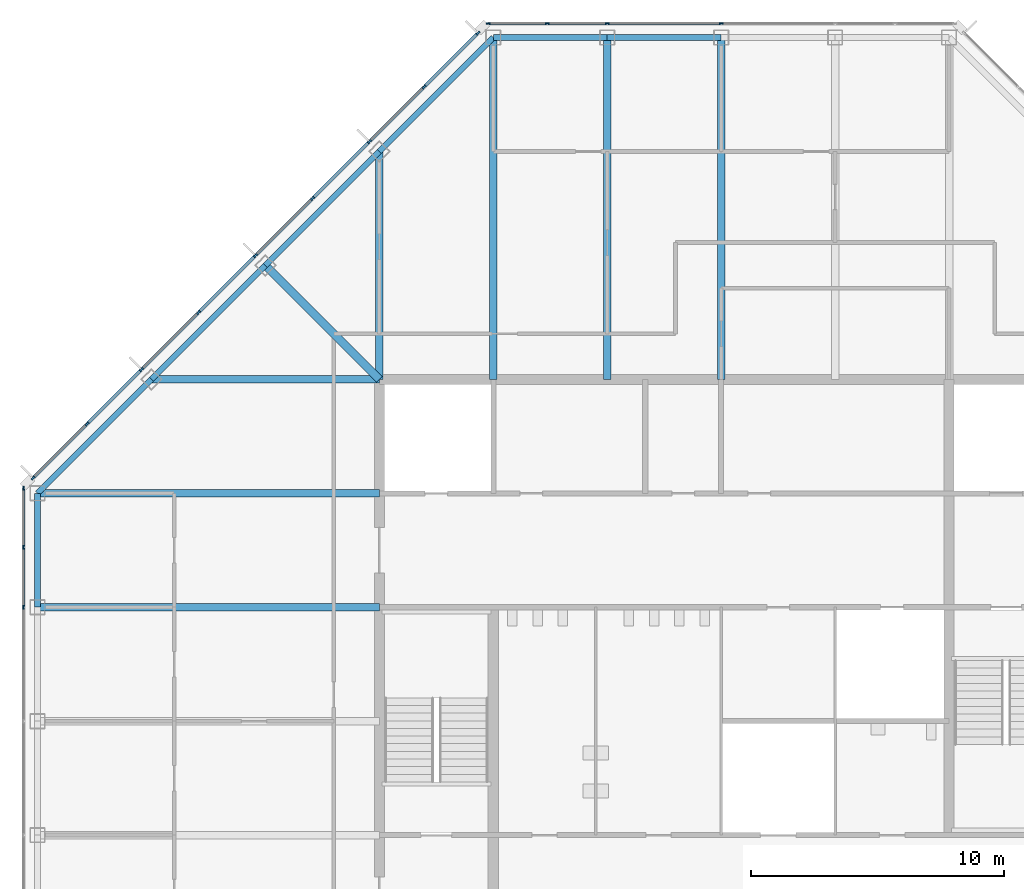
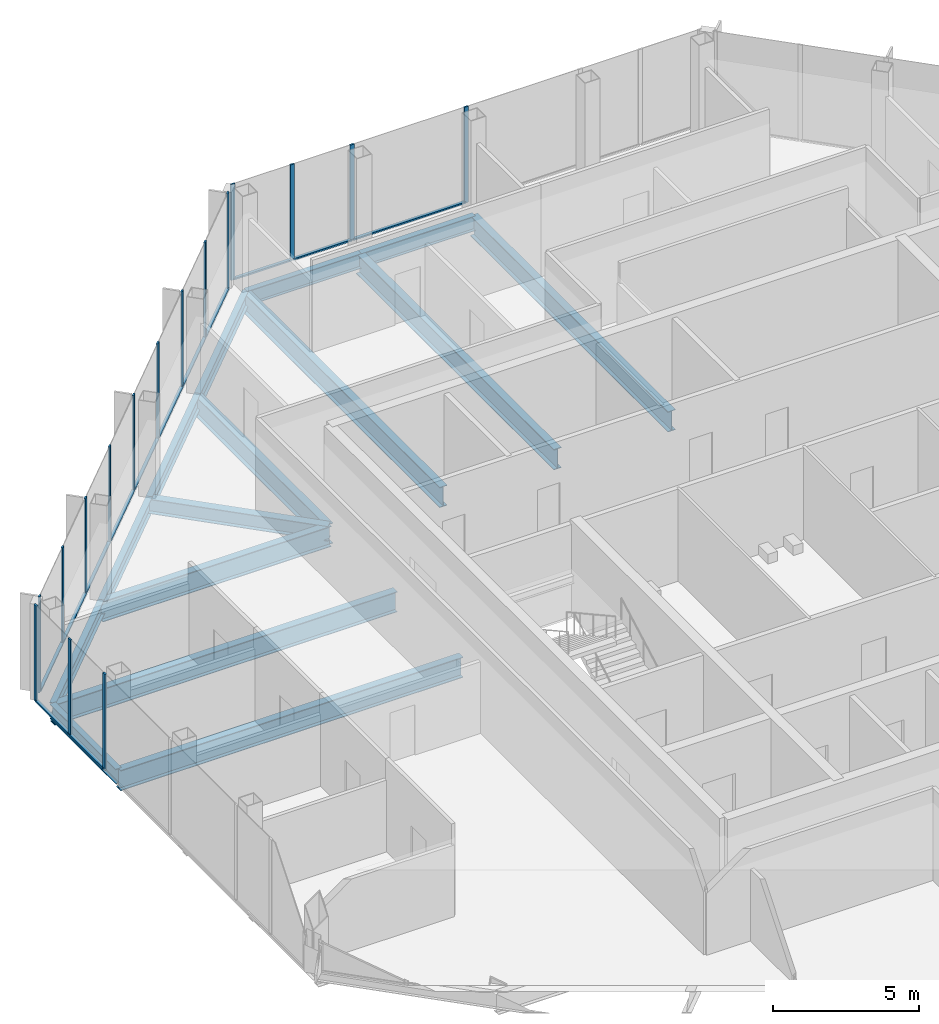
# One storey, part 6 of 14: 29 members, 15 beams, 3 elements without a shape of their own.
"""IFC4 building model written with IfcOpenShell, lengths in metres."""

from ifc_helpers import new_model, si_unit, direction, frame, origin, origin_2d, place, context, subcontext, project, spatial, rectangle, i_section, extrude, material, material_profile, profile_set, type_object, element, aggregate, save


model = new_model("IFC4")

# Units and contexts
model_context = context("Model", 3, precision=1e-05, world=origin(), true_north=direction((0.0, 1.0)))
body_context = subcontext(model_context, "Body", "Model", "MODEL_VIEW")
ifc_project = project(units=[si_unit("LENGTHUNIT", "METRE"), si_unit("AREAUNIT", "SQUARE_METRE"), si_unit("VOLUMEUNIT", "CUBIC_METRE"), si_unit("PLANEANGLEUNIT", "RADIAN"), si_unit("MASSUNIT", "GRAM", prefix="KILO")], contexts=[model_context])

# Site, building, storey
site_placement = place(None, origin())
site = spatial("IfcSite", under=ifc_project, at=site_placement, CompositionType="ELEMENT")
building_placement = place(site_placement, origin())
building = spatial("IfcBuilding", under=site, at=building_placement, Name="Corais Broadcast Tower", CompositionType="ELEMENT")
storey_placement = place(building_placement, frame((0.0, 0.0, 262.60009765625)))
storey = spatial("IfcBuildingStorey", under=building, at=storey_placement, Name="L61", CompositionType="ELEMENT", Elevation=262.60009765625)

# Beams
ifc_material_1 = material(Name="Steel ASTM A572 Grade 50", Category="steel")
ifc_material_profile_1 = material_profile(ifc_material_1, i_section(OverallWidth=0.323974609375, OverallDepth=0.611083984375, WebThickness=0.0126953125, FlangeThickness=0.01904296875, at=origin_2d()), Name="W610x155")
ifc_profile_set_1 = profile_set([ifc_material_profile_1], Name="Steel ASTM A572 Grade 50")
beam_type_1 = type_object("IfcBeamType", Name="Corner diagonal W610x155", PredefinedType="BEAM", material=ifc_profile_set_1)
beam_1_placement = place(storey_placement, frame((9.0, 45.0, -0.465576171875), z_axis=(0.707106781187, -0.707106781187, 0.0), x_axis=(0.707106781187, 0.707106781187, 0.0)))
element("IfcBeam", 1, at=beam_1_placement, inside=storey, type_object=beam_type_1, Name="B6 L/5 to K/6", PredefinedType="BEAM", context=body_context, shape_type="SweptSolid", body=[
    extrude(i_section(OverallWidth=0.323974609375, OverallDepth=0.611083984375, WebThickness=0.0126953125, FlangeThickness=0.01904296875, at=origin_2d()), origin(), (0.0, 0.0, 1.0), 6.364013671875),
])
ifc_material_2 = material(Name="Steel ASTM A572 Grade 50", Category="steel")
ifc_material_profile_2 = material_profile(ifc_material_2, i_section(OverallWidth=0.2939453125, OverallDepth=0.85107421875, WebThickness=0.01611328125, FlangeThickness=0.02685546875, at=origin_2d()), Name="W840x226")
ifc_profile_set_2 = profile_set([ifc_material_profile_2], Name="Steel ASTM A572 Grade 50")
beam_type_2 = type_object("IfcBeamType", Name="Floor beam W840x226", PredefinedType="BEAM", material=ifc_profile_set_2)
for number, where, z_axis, x_axis, name in (
    (2, (0.0, 31.5, -0.585693359375), (1.0, 0.0, 0.0), (0.0, 1.0, 0.0), "B1 H/3 to H/6"),
    (3, (0.0, 36.0, -0.585693359375), (1.0, 0.0, 0.0), (0.0, 1.0, 0.0), "B1 J/3 to J/6"),
):
    element("IfcBeam", number, at=place(storey_placement, frame(where, z_axis=z_axis, x_axis=x_axis)), inside=storey, type_object=beam_type_2, Name=name, PredefinedType="BEAM", context=body_context, shape_type="SweptSolid", body=[
        extrude(i_section(OverallWidth=0.2939453125, OverallDepth=0.85107421875, WebThickness=0.01611328125, FlangeThickness=0.02685546875, at=origin_2d()), origin(), (0.0, 0.0, 1.0), 13.5),
    ])
beam_2_placement = place(storey_placement, frame((13.5, 49.5, -0.585693359375), z_axis=(0.0, -1.0, 0.0), x_axis=(1.0, 0.0, 0.0)))
element("IfcBeam", 4, at=beam_2_placement, inside=storey, type_object=beam_type_2, Name="B1 M/6 to K/6", PredefinedType="BEAM", context=body_context, shape_type="SweptSolid", body=[
    extrude(i_section(OverallWidth=0.2939453125, OverallDepth=0.85107421875, WebThickness=0.01611328125, FlangeThickness=0.02685546875, at=origin_2d()), origin(), (0.0, 0.0, 1.0), 9.0),
])
for number, where, z_axis, x_axis, name in (
    (5, (18.0, 54.0, -0.585693359375), (0.0, -1.0, 0.0), (1.0, 0.0, 0.0), "B1 N/7 to K/7"),
    (6, (22.5, 54.0, -0.585693359375), (0.0, -1.0, 0.0), (1.0, 0.0, 0.0), "B1 N/8 to K/8"),
    (7, (27.0, 54.0, -0.585693359375), (0.0, -1.0, 0.0), (1.0, 0.0, 0.0), "B1 N/9 to K/9"),
):
    element("IfcBeam", number, at=place(storey_placement, frame(where, z_axis=z_axis, x_axis=x_axis)), inside=storey, type_object=beam_type_2, Name=name, PredefinedType="BEAM", context=body_context, shape_type="SweptSolid", body=[
        extrude(i_section(OverallWidth=0.2939453125, OverallDepth=0.85107421875, WebThickness=0.01611328125, FlangeThickness=0.02685546875, at=origin_2d()), origin(), (0.0, 0.0, 1.0), 13.5),
    ])
beam_3_placement = place(storey_placement, frame((4.5, 40.5, -0.585693359375), z_axis=(1.0, 0.0, 0.0), x_axis=(0.0, 1.0, 0.0)))
element("IfcBeam", 8, at=beam_3_placement, inside=storey, type_object=beam_type_2, Name="B1 K/4 to K/6", PredefinedType="BEAM", context=body_context, shape_type="SweptSolid", body=[
    extrude(i_section(OverallWidth=0.2939453125, OverallDepth=0.85107421875, WebThickness=0.01611328125, FlangeThickness=0.02685546875, at=origin_2d()), origin(), (0.0, 0.0, 1.0), 9.0),
])

# Curtain wall, members
ifc_material_3 = material(Name="Aluminium and glass", Category="aluminium")
curtain_wall_type = type_object("IfcCurtainWallType", Name="Unitised fritted curtain wall CW3", PredefinedType="NOTDEFINED", material=ifc_material_3)
curtain_wall_1_placement = place(storey_placement, origin())
curtain_wall_1 = element("IfcCurtainWall", 9, at=curtain_wall_1_placement, inside=storey, type_object=curtain_wall_type, Name="CW3 curtain wall L61 2", PredefinedType="NOTDEFINED")
ifc_material_4 = material(Name="Aluminium 6063-T6", Category="aluminium")
ifc_material_profile_3 = material_profile(ifc_material_4, rectangle(XDim=0.06494140625, YDim=0.159912109375, at=origin_2d()), Name="Mullion CW3 65x160")
ifc_profile_set_3 = profile_set([ifc_material_profile_3], Name="Aluminium 6063-T6")
member_type_1 = type_object("IfcMemberType", Name="Mullion CW3 65x160", PredefinedType="MULLION", material=ifc_profile_set_3)
member_1_placement = place(storey_placement, frame((-0.550048828125, 31.5, 0.0), z_axis=(0.0, 0.0, 1.0), x_axis=(-1.0, 0.0, 0.0)))
member_1 = element("IfcMember", 10, at=member_1_placement, type_object=member_type_1, Name="CW3 mullion 5", PredefinedType="MULLION", context=body_context, shape_type="SweptSolid", body=[
    extrude(rectangle(XDim=0.06494140625, YDim=0.159912109375, at=origin_2d()), origin(), (0.0, 0.0, 1.0), 4.0),
])
member_2_placement = place(storey_placement, frame((-0.550048828125, 33.864013671875, 0.0), z_axis=(0.0, 0.0, 1.0), x_axis=(-1.0, 0.0, 0.0)))
member_2 = element("IfcMember", 11, at=member_2_placement, type_object=member_type_1, Name="CW3 mullion 6", PredefinedType="MULLION", context=body_context, shape_type="SweptSolid", body=[
    extrude(rectangle(XDim=0.06494140625, YDim=0.159912109375, at=origin_2d()), origin(), (0.0, 0.0, 1.0), 4.0),
])
member_3_placement = place(storey_placement, frame((-0.550048828125, 36.1953125, 0.0), z_axis=(0.0, 0.0, 1.0), x_axis=(-1.0, 0.0, 0.0)))
member_3 = element("IfcMember", 12, at=member_3_placement, type_object=member_type_1, Name="CW3 mullion 7", PredefinedType="MULLION", context=body_context, shape_type="SweptSolid", body=[
    extrude(rectangle(XDim=0.06494140625, YDim=0.159912109375, at=origin_2d()), origin(), (0.0, 0.0, 1.0), 4.0),
])

curtain_wall_2_placement = place(storey_placement, origin())
curtain_wall_2 = element("IfcCurtainWall", 13, at=curtain_wall_2_placement, inside=storey, type_object=curtain_wall_type, Name="CW3 curtain wall L61 3", PredefinedType="NOTDEFINED")
member_4_placement = place(storey_placement, frame((-0.17333984375, 36.6044921875, 0.0), z_axis=(0.0, 0.0, 1.0), x_axis=(-0.707106781187, 0.707106781187, 0.0)))
member_4 = element("IfcMember", 14, at=member_4_placement, type_object=member_type_1, Name="CW3 mullion 1", PredefinedType="MULLION", context=body_context, shape_type="SweptSolid", body=[
    extrude(rectangle(XDim=0.06494140625, YDim=0.159912109375, at=origin_2d()), origin(), (0.0, 0.0, 1.0), 4.0),
])
member_5_placement = place(storey_placement, frame((1.957275390625, 38.735107421875, 0.0), z_axis=(0.0, 0.0, 1.0), x_axis=(-0.707106781187, 0.707106781187, 0.0)))
member_5 = element("IfcMember", 15, at=member_5_placement, type_object=member_type_1, Name="CW3 mullion 2", PredefinedType="MULLION", context=body_context, shape_type="SweptSolid", body=[
    extrude(rectangle(XDim=0.06494140625, YDim=0.159912109375, at=origin_2d()), origin(), (0.0, 0.0, 1.0), 4.0),
])
member_6_placement = place(storey_placement, frame((4.111083984375, 40.888916015625, 0.0), z_axis=(0.0, 0.0, 1.0), x_axis=(-0.707106781187, 0.707106781187, 0.0)))
member_6 = element("IfcMember", 16, at=member_6_placement, type_object=member_type_1, Name="CW3 mullion 3", PredefinedType="MULLION", context=body_context, shape_type="SweptSolid", body=[
    extrude(rectangle(XDim=0.06494140625, YDim=0.159912109375, at=origin_2d()), origin(), (0.0, 0.0, 1.0), 4.0),
])
member_7_placement = place(storey_placement, frame((6.361083984375, 43.138916015625, 0.0), z_axis=(0.0, 0.0, 1.0), x_axis=(-0.707106781187, 0.707106781187, 0.0)))
member_7 = element("IfcMember", 17, at=member_7_placement, type_object=member_type_1, Name="CW3 mullion 4", PredefinedType="MULLION", context=body_context, shape_type="SweptSolid", body=[
    extrude(rectangle(XDim=0.06494140625, YDim=0.159912109375, at=origin_2d()), origin(), (0.0, 0.0, 1.0), 4.0),
])
member_8_placement = place(storey_placement, frame((8.611083984375, 45.388916015625, 0.0), z_axis=(0.0, 0.0, 1.0), x_axis=(-0.707106781187, 0.707106781187, 0.0)))
member_8 = element("IfcMember", 18, at=member_8_placement, type_object=member_type_1, Name="CW3 mullion 5", PredefinedType="MULLION", context=body_context, shape_type="SweptSolid", body=[
    extrude(rectangle(XDim=0.06494140625, YDim=0.159912109375, at=origin_2d()), origin(), (0.0, 0.0, 1.0), 4.0),
])
member_9_placement = place(storey_placement, frame((10.861083984375, 47.638916015625, 0.0), z_axis=(0.0, 0.0, 1.0), x_axis=(-0.707106781187, 0.707106781187, 0.0)))
member_9 = element("IfcMember", 19, at=member_9_placement, type_object=member_type_1, Name="CW3 mullion 6", PredefinedType="MULLION", context=body_context, shape_type="SweptSolid", body=[
    extrude(rectangle(XDim=0.06494140625, YDim=0.159912109375, at=origin_2d()), origin(), (0.0, 0.0, 1.0), 4.0),
])
member_10_placement = place(storey_placement, frame((13.111083984375, 49.888916015625, 0.0), z_axis=(0.0, 0.0, 1.0), x_axis=(-0.707106781187, 0.707106781187, 0.0)))
member_10 = element("IfcMember", 20, at=member_10_placement, type_object=member_type_1, Name="CW3 mullion 7", PredefinedType="MULLION", context=body_context, shape_type="SweptSolid", body=[
    extrude(rectangle(XDim=0.06494140625, YDim=0.159912109375, at=origin_2d()), origin(), (0.0, 0.0, 1.0), 4.0),
])
member_11_placement = place(storey_placement, frame((15.264892578125, 52.042724609375, 0.0), z_axis=(0.0, 0.0, 1.0), x_axis=(-0.707106781187, 0.707106781187, 0.0)))
member_11 = element("IfcMember", 21, at=member_11_placement, type_object=member_type_1, Name="CW3 mullion 8", PredefinedType="MULLION", context=body_context, shape_type="SweptSolid", body=[
    extrude(rectangle(XDim=0.06494140625, YDim=0.159912109375, at=origin_2d()), origin(), (0.0, 0.0, 1.0), 4.0),
])
member_12_placement = place(storey_placement, frame((17.3955078125, 54.17333984375, 0.0), z_axis=(0.0, 0.0, 1.0), x_axis=(-0.707106781187, 0.707106781187, 0.0)))
member_12 = element("IfcMember", 22, at=member_12_placement, type_object=member_type_1, Name="CW3 mullion 9", PredefinedType="MULLION", context=body_context, shape_type="SweptSolid", body=[
    extrude(rectangle(XDim=0.06494140625, YDim=0.159912109375, at=origin_2d()), origin(), (0.0, 0.0, 1.0), 4.0),
])

curtain_wall_3_placement = place(storey_placement, origin())
curtain_wall_3 = element("IfcCurtainWall", 23, at=curtain_wall_3_placement, inside=storey, type_object=curtain_wall_type, Name="CW3 curtain wall L61 4", PredefinedType="NOTDEFINED")
member_13_placement = place(storey_placement, frame((17.8046875, 54.550048828125, 0.0), z_axis=(0.0, 0.0, 1.0), x_axis=(0.0, 1.0, 0.0)))
member_13 = element("IfcMember", 24, at=member_13_placement, type_object=member_type_1, Name="CW3 mullion 1", PredefinedType="MULLION", context=body_context, shape_type="SweptSolid", body=[
    extrude(rectangle(XDim=0.06494140625, YDim=0.159912109375, at=origin_2d()), origin(), (0.0, 0.0, 1.0), 4.0),
])
member_14_placement = place(storey_placement, frame((20.135986328125, 54.550048828125, 0.0), z_axis=(0.0, 0.0, 1.0), x_axis=(0.0, 1.0, 0.0)))
member_14 = element("IfcMember", 25, at=member_14_placement, type_object=member_type_1, Name="CW3 mullion 2", PredefinedType="MULLION", context=body_context, shape_type="SweptSolid", body=[
    extrude(rectangle(XDim=0.06494140625, YDim=0.159912109375, at=origin_2d()), origin(), (0.0, 0.0, 1.0), 4.0),
])
member_15_placement = place(storey_placement, frame((22.5, 54.550048828125, 0.0), z_axis=(0.0, 0.0, 1.0), x_axis=(0.0, 1.0, 0.0)))
member_15 = element("IfcMember", 26, at=member_15_placement, type_object=member_type_1, Name="CW3 mullion 3", PredefinedType="MULLION", context=body_context, shape_type="SweptSolid", body=[
    extrude(rectangle(XDim=0.06494140625, YDim=0.159912109375, at=origin_2d()), origin(), (0.0, 0.0, 1.0), 4.0),
])
member_16_placement = place(storey_placement, frame((27.0, 54.550048828125, 0.0), z_axis=(0.0, 0.0, 1.0), x_axis=(0.0, 1.0, 0.0)))
member_16 = element("IfcMember", 27, at=member_16_placement, type_object=member_type_1, Name="CW3 mullion 4", PredefinedType="MULLION", context=body_context, shape_type="SweptSolid", body=[
    extrude(rectangle(XDim=0.06494140625, YDim=0.159912109375, at=origin_2d()), origin(), (0.0, 0.0, 1.0), 4.0),
])

# Beams
ifc_material_5 = material(Name="Steel ASTM A572 Grade 50", Category="steel")
ifc_material_profile_4 = material_profile(ifc_material_5, i_section(OverallWidth=0.22998046875, OverallDepth=0.616943359375, WebThickness=0.01318359375, FlangeThickness=0.022216796875, at=origin_2d()), Name="W610x140")
ifc_profile_set_4 = profile_set([ifc_material_profile_4], Name="Steel ASTM A572 Grade 50")
beam_type_3 = type_object("IfcBeamType", Name="Spandrel W610x140", PredefinedType="BEAM", material=ifc_profile_set_4)
beam_4_placement = place(storey_placement, frame((0.0, 36.0, -0.468505859375), z_axis=(0.0, -1.0, 0.0), x_axis=(1.0, 0.0, 0.0)))
element("IfcBeam", 28, at=beam_4_placement, inside=storey, type_object=beam_type_3, Name="SB3 J/3 to H/3", PredefinedType="BEAM", context=body_context, shape_type="SweptSolid", body=[
    extrude(i_section(OverallWidth=0.22998046875, OverallDepth=0.616943359375, WebThickness=0.01318359375, FlangeThickness=0.022216796875, at=origin_2d()), origin(), (0.0, 0.0, 1.0), 4.5),
])
for number, where, z_axis, x_axis, name in (
    (29, (13.5, 49.5, -0.468505859375), (-0.707106781187, -0.707106781187, 0.0), (0.707106781187, -0.707106781187, 0.0), "SB3 M/6 to L/5"),
    (30, (18.0, 54.0, -0.468505859375), (-0.707106781187, -0.707106781187, 0.0), (0.707106781187, -0.707106781187, 0.0), "SB3 N/7 to M/6"),
):
    element("IfcBeam", number, at=place(storey_placement, frame(where, z_axis=z_axis, x_axis=x_axis)), inside=storey, type_object=beam_type_3, Name=name, PredefinedType="BEAM", context=body_context, shape_type="SweptSolid", body=[
        extrude(i_section(OverallWidth=0.22998046875, OverallDepth=0.616943359375, WebThickness=0.01318359375, FlangeThickness=0.022216796875, at=origin_2d()), origin(), (0.0, 0.0, 1.0), 6.364013671875),
    ])
for number, where, z_axis, x_axis, name in (
    (31, (22.5, 54.0, -0.468505859375), (-1.0, 0.0, 0.0), (0.0, -1.0, 0.0), "SB3 N/8 to N/7"),
    (32, (27.0, 54.0, -0.468505859375), (-1.0, 0.0, 0.0), (0.0, -1.0, 0.0), "SB3 N/9 to N/8"),
):
    element("IfcBeam", number, at=place(storey_placement, frame(where, z_axis=z_axis, x_axis=x_axis)), inside=storey, type_object=beam_type_3, Name=name, PredefinedType="BEAM", context=body_context, shape_type="SweptSolid", body=[
        extrude(i_section(OverallWidth=0.22998046875, OverallDepth=0.616943359375, WebThickness=0.01318359375, FlangeThickness=0.022216796875, at=origin_2d()), origin(), (0.0, 0.0, 1.0), 4.5),
    ])
for number, where, z_axis, x_axis, name in (
    (33, (4.5, 40.5, -0.468505859375), (-0.707106781187, -0.707106781187, 0.0), (0.707106781187, -0.707106781187, 0.0), "SB3 K/4 to J/3"),
    (34, (9.0, 45.0, -0.468505859375), (-0.707106781187, -0.707106781187, 0.0), (0.707106781187, -0.707106781187, 0.0), "SB3 L/5 to K/4"),
):
    element("IfcBeam", number, at=place(storey_placement, frame(where, z_axis=z_axis, x_axis=x_axis)), inside=storey, type_object=beam_type_3, Name=name, PredefinedType="BEAM", context=body_context, shape_type="SweptSolid", body=[
        extrude(i_section(OverallWidth=0.22998046875, OverallDepth=0.616943359375, WebThickness=0.01318359375, FlangeThickness=0.022216796875, at=origin_2d()), origin(), (0.0, 0.0, 1.0), 6.364013671875),
    ])

# Member
ifc_material_6 = material(Name="Aluminium 6063-T6", Category="aluminium")
ifc_material_profile_5 = material_profile(ifc_material_6, rectangle(XDim=0.1201171875, YDim=0.06494140625, at=origin_2d()), Name="Transom CW3 65x120")
ifc_profile_set_5 = profile_set([ifc_material_profile_5], Name="Aluminium 6063-T6")
member_type_2 = type_object("IfcMemberType", Name="Transom CW3 65x120", PredefinedType="USERDEFINED", material=ifc_profile_set_5)
member_17_placement = place(storey_placement, frame((-0.550048828125, 31.532470703125, 0.032470703125), z_axis=(0.0, 1.0, 0.0), x_axis=(-1.0, 0.0, 0.0)))
member_17 = element("IfcMember", 35, at=member_17_placement, type_object=member_type_2, Name="CW3 transom 5.1", ObjectType="TRANSOM", PredefinedType="USERDEFINED", context=body_context, shape_type="SweptSolid", body=[
    extrude(rectangle(XDim=0.1201171875, YDim=0.06494140625, at=origin_2d()), origin(), (0.0, 0.0, 1.0), 2.298828125),
])

member_18_placement = place(storey_placement, frame((-0.550048828125, 33.896484375, 0.032470703125), z_axis=(0.0, 1.0, 0.0), x_axis=(-1.0, 0.0, 0.0)))
member_18 = element("IfcMember", 36, at=member_18_placement, type_object=member_type_2, Name="CW3 transom 6.1", ObjectType="TRANSOM", PredefinedType="USERDEFINED", context=body_context, shape_type="SweptSolid", body=[
    extrude(rectangle(XDim=0.1201171875, YDim=0.06494140625, at=origin_2d()), origin(), (0.0, 0.0, 1.0), 2.266357421875),
])

aggregate(curtain_wall_1, [member_1, member_2, member_3, member_17, member_18])

member_19_placement = place(storey_placement, frame((-0.150390625, 36.62744140625, 0.032470703125), z_axis=(0.707106781187, 0.707106781187, 0.0), x_axis=(-0.707106781187, 0.707106781187, 0.0)))
member_19 = element("IfcMember", 37, at=member_19_placement, type_object=member_type_2, Name="CW3 transom 1.1", ObjectType="TRANSOM", PredefinedType="USERDEFINED", context=body_context, shape_type="SweptSolid", body=[
    extrude(rectangle(XDim=0.1201171875, YDim=0.06494140625, at=origin_2d()), origin(), (0.0, 0.0, 1.0), 2.9482421875),
])

member_20_placement = place(storey_placement, frame((1.980224609375, 38.758056640625, 0.032470703125), z_axis=(0.707106781187, 0.707106781187, 0.0), x_axis=(-0.707106781187, 0.707106781187, 0.0)))
member_20 = element("IfcMember", 38, at=member_20_placement, type_object=member_type_2, Name="CW3 transom 2.1", ObjectType="TRANSOM", PredefinedType="USERDEFINED", context=body_context, shape_type="SweptSolid", body=[
    extrude(rectangle(XDim=0.1201171875, YDim=0.06494140625, at=origin_2d()), origin(), (0.0, 0.0, 1.0), 2.98095703125),
])

member_21_placement = place(storey_placement, frame((4.134033203125, 40.911865234375, 0.032470703125), z_axis=(0.707106781187, 0.707106781187, 0.0), x_axis=(-0.707106781187, 0.707106781187, 0.0)))
member_21 = element("IfcMember", 39, at=member_21_placement, type_object=member_type_2, Name="CW3 transom 3.1", ObjectType="TRANSOM", PredefinedType="USERDEFINED", context=body_context, shape_type="SweptSolid", body=[
    extrude(rectangle(XDim=0.1201171875, YDim=0.06494140625, at=origin_2d()), origin(), (0.0, 0.0, 1.0), 3.1171875),
])

member_22_placement = place(storey_placement, frame((6.384033203125, 43.161865234375, 0.032470703125), z_axis=(0.707106781187, 0.707106781187, 0.0), x_axis=(-0.707106781187, 0.707106781187, 0.0)))
member_22 = element("IfcMember", 40, at=member_22_placement, type_object=member_type_2, Name="CW3 transom 4.1", ObjectType="TRANSOM", PredefinedType="USERDEFINED", context=body_context, shape_type="SweptSolid", body=[
    extrude(rectangle(XDim=0.1201171875, YDim=0.06494140625, at=origin_2d()), origin(), (0.0, 0.0, 1.0), 3.1171875),
])

member_23_placement = place(storey_placement, frame((8.634033203125, 45.411865234375, 0.032470703125), z_axis=(0.707106781187, 0.707106781187, 0.0), x_axis=(-0.707106781187, 0.707106781187, 0.0)))
member_23 = element("IfcMember", 41, at=member_23_placement, type_object=member_type_2, Name="CW3 transom 5.1", ObjectType="TRANSOM", PredefinedType="USERDEFINED", context=body_context, shape_type="SweptSolid", body=[
    extrude(rectangle(XDim=0.1201171875, YDim=0.06494140625, at=origin_2d()), origin(), (0.0, 0.0, 1.0), 3.1171875),
])

member_24_placement = place(storey_placement, frame((10.884033203125, 47.661865234375, 0.032470703125), z_axis=(0.707106781187, 0.707106781187, 0.0), x_axis=(-0.707106781187, 0.707106781187, 0.0)))
member_24 = element("IfcMember", 42, at=member_24_placement, type_object=member_type_2, Name="CW3 transom 6.1", ObjectType="TRANSOM", PredefinedType="USERDEFINED", context=body_context, shape_type="SweptSolid", body=[
    extrude(rectangle(XDim=0.1201171875, YDim=0.06494140625, at=origin_2d()), origin(), (0.0, 0.0, 1.0), 3.1171875),
])

member_25_placement = place(storey_placement, frame((13.134033203125, 49.911865234375, 0.032470703125), z_axis=(0.70714773134, 0.707065828661, 0.0), x_axis=(-0.707065828661, 0.70714773134, 0.0)))
member_25 = element("IfcMember", 43, at=member_25_placement, type_object=member_type_2, Name="CW3 transom 7.1", ObjectType="TRANSOM", PredefinedType="USERDEFINED", context=body_context, shape_type="SweptSolid", body=[
    extrude(rectangle(XDim=0.1201171875, YDim=0.06494140625, at=origin_2d()), origin(), (0.0, 0.0, 1.0), 2.98095703125),
])

member_26_placement = place(storey_placement, frame((15.287841796875, 52.065673828125, 0.032470703125), z_axis=(0.707106781187, 0.707106781187, 0.0), x_axis=(-0.707106781187, 0.707106781187, 0.0)))
member_26 = element("IfcMember", 44, at=member_26_placement, type_object=member_type_2, Name="CW3 transom 8.1", ObjectType="TRANSOM", PredefinedType="USERDEFINED", context=body_context, shape_type="SweptSolid", body=[
    extrude(rectangle(XDim=0.1201171875, YDim=0.06494140625, at=origin_2d()), origin(), (0.0, 0.0, 1.0), 2.9482421875),
])

aggregate(curtain_wall_2, [member_4, member_5, member_6, member_7, member_8, member_9, member_10, member_11, member_12, member_19, member_20, member_21, member_22, member_23, member_24, member_25, member_26])

member_27_placement = place(storey_placement, frame((17.837158203125, 54.550048828125, 0.032470703125), z_axis=(1.0, 0.0, 0.0), x_axis=(0.0, 1.0, 0.0)))
member_27 = element("IfcMember", 45, at=member_27_placement, type_object=member_type_2, Name="CW3 transom 1.1", ObjectType="TRANSOM", PredefinedType="USERDEFINED", context=body_context, shape_type="SweptSolid", body=[
    extrude(rectangle(XDim=0.1201171875, YDim=0.06494140625, at=origin_2d()), origin(), (0.0, 0.0, 1.0), 2.266357421875),
])

member_28_placement = place(storey_placement, frame((20.168701171875, 54.550048828125, 0.032470703125), z_axis=(1.0, 0.0, 0.0), x_axis=(0.0, 1.0, 0.0)))
member_28 = element("IfcMember", 46, at=member_28_placement, type_object=member_type_2, Name="CW3 transom 2.1", ObjectType="TRANSOM", PredefinedType="USERDEFINED", context=body_context, shape_type="SweptSolid", body=[
    extrude(rectangle(XDim=0.1201171875, YDim=0.06494140625, at=origin_2d()), origin(), (0.0, 0.0, 1.0), 2.298828125),
])

member_29_placement = place(storey_placement, frame((22.532470703125, 54.550048828125, 0.032470703125), z_axis=(1.0, 0.0, 0.0), x_axis=(0.0, 1.0, 0.0)))
member_29 = element("IfcMember", 47, at=member_29_placement, type_object=member_type_2, Name="CW3 transom 3.1", ObjectType="TRANSOM", PredefinedType="USERDEFINED", context=body_context, shape_type="SweptSolid", body=[
    extrude(rectangle(XDim=0.1201171875, YDim=0.06494140625, at=origin_2d()), origin(), (0.0, 0.0, 1.0), 4.43505859375),
])

aggregate(curtain_wall_3, [member_13, member_14, member_15, member_16, member_27, member_28, member_29])

save(model, "model.ifc")
